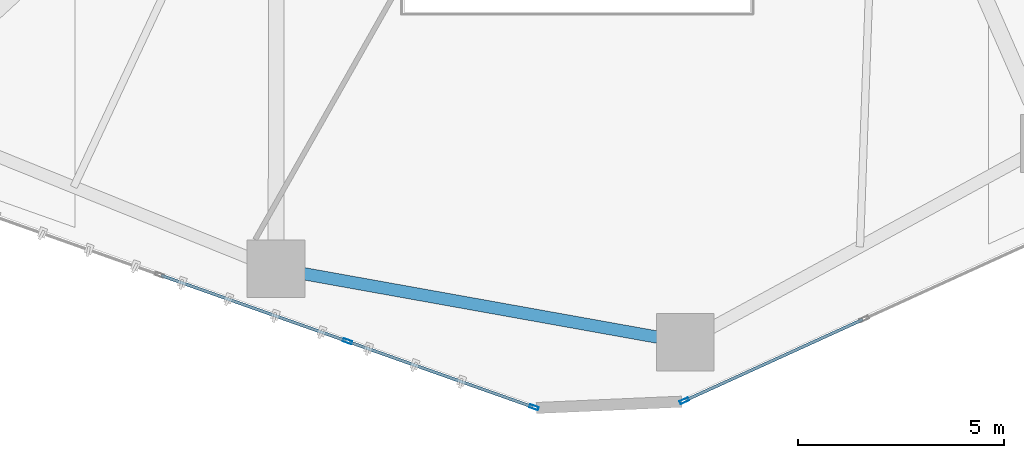
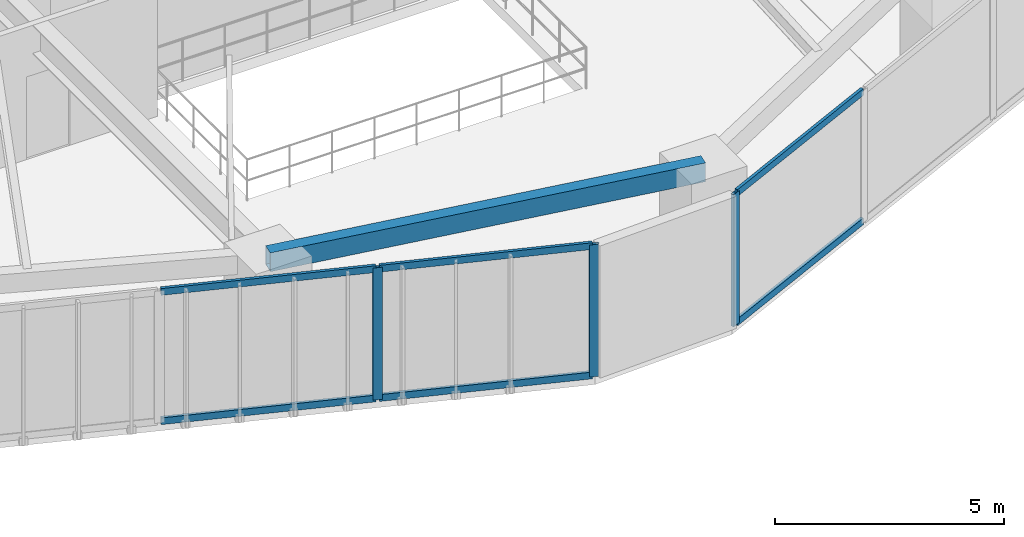
# One storey, part 5 of 24: 9 members, 1 beam, 2 elements without a shape of their own.
"""IFC4 building model written with IfcOpenShell, lengths in metres."""

from ifc_helpers import new_model, si_unit, direction, frame, origin, origin_2d, place, context, subcontext, project, spatial, hollow_rectangle, extrude, source, transform, mapped, material, layer, layer_set, material_profile, profile_set, type_object, type_shapes, element, aggregate, save


model = new_model("IFC4")

# Units and contexts
model_context = context("Model", 3, precision=1e-05, world=origin(), true_north=direction((0.0, 1.0)))
body_context = subcontext(model_context, "Body", "Model", "MODEL_VIEW")
ifc_project = project(units=[si_unit("LENGTHUNIT", "METRE"), si_unit("AREAUNIT", "SQUARE_METRE"), si_unit("VOLUMEUNIT", "CUBIC_METRE"), si_unit("PLANEANGLEUNIT", "RADIAN"), si_unit("MASSUNIT", "GRAM", prefix="KILO")], contexts=[model_context])

# Site, building, storey
site_placement = place(None, origin())
site = spatial("IfcSite", under=ifc_project, at=site_placement, CompositionType="ELEMENT")
building_placement = place(site_placement, origin())
building = spatial("IfcBuilding", under=site, at=building_placement, Name="Talar Marvaseh", CompositionType="ELEMENT")
storey_placement = place(building_placement, frame((0.0, 0.0, 31.60009765625)))
storey = spatial("IfcBuildingStorey", under=building, at=storey_placement, Name="L07", CompositionType="ELEMENT", Elevation=31.60009765625)

# Beam
ifc_material_1 = material(Name="Steel S355", Category="steel")
ifc_material_profile_1 = material_profile(ifc_material_1, hollow_rectangle(XDim=0.300048828125, YDim=0.5, WallThickness=0.02001953125, at=origin_2d()), Name="RHS500x300x20")
ifc_profile_set_1 = profile_set([ifc_material_profile_1], Name="Steel S355")
beam_type = type_object("IfcBeamType", Name="Zone 1 Perimeter Spandrel Beam RHS500x300x20", PredefinedType="SPANDREL", material=ifc_profile_set_1)
beam_placement = place(storey_placement, frame((28.625, 11.195068359375, 3.27001953125), z_axis=(-0.984279934962, 0.176615428632, 0.0), x_axis=(-0.176615428632, -0.984279934962, 0.0)))
element("IfcBeam", 1, at=beam_placement, inside=storey, type_object=beam_type, Name="L07 Zone 1 Perimeter Spandrel Beam RHS500x300x20", PredefinedType="SPANDREL", context=body_context, shape_type="SweptSolid", body=[
    extrude(hollow_rectangle(XDim=0.300048828125, YDim=0.5, WallThickness=0.02001953125, at=origin_2d()), origin(), (0.0, 0.0, 1.0), 10.1005859375),
])

# Curtain wall, member
ifc_material_2 = material(Name="Architectural Aluminium", Category="aluminium")
ifc_layer = layer(ifc_material_2, 0.219970703125)
ifc_layer_set = layer_set([ifc_layer], Name="Architectural Aluminium")
curtain_wall_type = type_object("IfcCurtainWallType", Name="Unitised Low-E Museum Curtain Wall Z1", PredefinedType="NOTDEFINED", material=ifc_layer_set)
curtain_wall_1_placement = place(storey_placement, origin())
curtain_wall_1 = element("IfcCurtainWall", 2, at=curtain_wall_1_placement, inside=storey, type_object=curtain_wall_type, Name="L07 Unitised Low-E Museum Curtain Wall Z1", PredefinedType="NOTDEFINED")
ifc_material_profile_2 = material_profile(ifc_material_2, hollow_rectangle(XDim=0.080078125, YDim=0.219970703125, WallThickness=0.0048828125, at=origin_2d()), Name="RHS220x80x5")
ifc_profile_set_2 = profile_set([ifc_material_profile_2], Name="Architectural Aluminium")
member_type_1 = type_object("IfcMemberType", Name="Unitised Curtain Wall Heavy Mullion RHS220x80x5", PredefinedType="MULLION", material=ifc_profile_set_2)
shared_shape_1 = source(origin(), body_context, "Body", "SweptSolid", [
    extrude(hollow_rectangle(XDim=0.080078125, YDim=0.219970703125, WallThickness=0.0048828125, at=origin_2d()), origin(), (0.0, 0.0, 1.0), 3.52001953125),
])
type_shapes(member_type_1, [shared_shape_1])
member_1_placement = place(storey_placement, frame((28.603515625, 9.77001953125, 0.0), z_axis=(0.0, 0.0, 1.0), x_axis=(0.414554775033, -0.910024361486, 0.0)))
member_1 = element("IfcMember", 3, at=member_1_placement, type_object=member_type_1, Name="CW-Z1 mullion 6", PredefinedType="MULLION", context=body_context, shape_type="MappedRepresentation", body=[
    mapped(shared_shape_1, transform((0.0, 0.0, 0.0), x_axis=(1.0, 0.0, 0.0), y_axis=(0.0, 1.0, 0.0), z_axis=(0.0, 0.0, 1.0), scale=1.0)),
])

# Curtain wall, members
curtain_wall_2_placement = place(storey_placement, origin())
curtain_wall_2 = element("IfcCurtainWall", 4, at=curtain_wall_2_placement, inside=storey, type_object=curtain_wall_type, Name="L07 Unitised Low-E Museum Curtain Wall Z1", PredefinedType="NOTDEFINED")
member_2_placement = place(storey_placement, frame((24.951904296875, 9.610595703125, 0.0), z_axis=(0.0, 0.0, 1.0), x_axis=(-0.333661385174, -0.942692993526, 0.0)))
member_2 = element("IfcMember", 5, at=member_2_placement, type_object=member_type_1, Name="CW-Z1 mullion 1", PredefinedType="MULLION", context=body_context, shape_type="MappedRepresentation", body=[
    mapped(shared_shape_1, transform((0.0, 0.0, 0.0), x_axis=(1.0, 0.0, 0.0), y_axis=(0.0, 1.0, 0.0), z_axis=(0.0, 0.0, 1.0), scale=1.0)),
])
member_3_placement = place(storey_placement, frame((20.421875, 11.2138671875, 0.0), z_axis=(0.0, 0.0, 1.0), x_axis=(-0.333661385174, -0.942692993526, 0.0)))
member_3 = element("IfcMember", 6, at=member_3_placement, type_object=member_type_1, Name="CW-Z1 mullion 2", PredefinedType="MULLION", context=body_context, shape_type="MappedRepresentation", body=[
    mapped(shared_shape_1, transform((0.0, 0.0, 0.0), x_axis=(1.0, 0.0, 0.0), y_axis=(0.0, 1.0, 0.0), z_axis=(0.0, 0.0, 1.0), scale=1.0)),
])
ifc_material_profile_3 = material_profile(ifc_material_2, hollow_rectangle(XDim=0.074951171875, YDim=0.179931640625, WallThickness=0.0048828125, at=origin_2d()), Name="RHS180x75x5")
ifc_profile_set_3 = profile_set([ifc_material_profile_3], Name="Architectural Aluminium")
member_type_2 = type_object("IfcMemberType", Name="Unitised Curtain Wall Transom RHS180x75x5", PredefinedType="USERDEFINED", material=ifc_profile_set_3)
shared_shape_2 = source(origin(), body_context, "Body", "SweptSolid", [
    extrude(hollow_rectangle(XDim=0.074951171875, YDim=0.179931640625, WallThickness=0.0048828125, at=origin_2d()), origin(), (0.0, 0.0, 1.0), 4.725341796875),
])
member_4_placement = place(storey_placement, frame((24.9140625, 9.623779296875, 0.037353515625), z_axis=(-0.942694274053, 0.333657767282, 0.0), x_axis=(-0.333657767282, -0.942694274053, 0.0)))
member_4 = element("IfcMember", 7, at=member_4_placement, type_object=member_type_2, Name="CW-Z1 transom 1.1", ObjectType="TRANSOM", PredefinedType="USERDEFINED", context=body_context, shape_type="MappedRepresentation", body=[
    mapped(shared_shape_2, transform((0.0, 0.0, 0.0), x_axis=(1.0, 0.0, 0.0), y_axis=(0.0, 1.0, 0.0), z_axis=(0.0, 0.0, 1.0), scale=1.0)),
])
member_5_placement = place(storey_placement, frame((24.9140625, 9.623779296875, 3.482421875), z_axis=(-0.942694274053, 0.333657767282, 0.0), x_axis=(-0.333657767282, -0.942694274053, 0.0)))
member_5 = element("IfcMember", 8, at=member_5_placement, type_object=member_type_2, Name="CW-Z1 transom 1.2", ObjectType="TRANSOM", PredefinedType="USERDEFINED", context=body_context, shape_type="MappedRepresentation", body=[
    mapped(shared_shape_2, transform((0.0, 0.0, 0.0), x_axis=(1.0, 0.0, 0.0), y_axis=(0.0, 1.0, 0.0), z_axis=(0.0, 0.0, 1.0), scale=1.0)),
])
shared_shape_3 = source(origin(), body_context, "Body", "SweptSolid", [
    extrude(hollow_rectangle(XDim=0.074951171875, YDim=0.179931640625, WallThickness=0.0048828125, at=origin_2d()), origin(), (0.0, 0.0, 1.0), 4.76513671875),
])
member_6_placement = place(storey_placement, frame((20.384033203125, 11.227294921875, 0.037353515625), z_axis=(-0.942702441645, 0.333634690217, 0.0), x_axis=(-0.333634690217, -0.942702441645, 0.0)))
member_6 = element("IfcMember", 9, at=member_6_placement, type_object=member_type_2, Name="CW-Z1 transom 2.1", ObjectType="TRANSOM", PredefinedType="USERDEFINED", context=body_context, shape_type="MappedRepresentation", body=[
    mapped(shared_shape_3, transform((0.0, 0.0, 0.0), x_axis=(1.0, 0.0, 0.0), y_axis=(0.0, 1.0, 0.0), z_axis=(0.0, 0.0, 1.0), scale=1.0)),
])
member_7_placement = place(storey_placement, frame((20.384033203125, 11.227294921875, 3.482421875), z_axis=(-0.942702441645, 0.333634690217, 0.0), x_axis=(-0.333634690217, -0.942702441645, 0.0)))
member_7 = element("IfcMember", 10, at=member_7_placement, type_object=member_type_2, Name="CW-Z1 transom 2.2", ObjectType="TRANSOM", PredefinedType="USERDEFINED", context=body_context, shape_type="MappedRepresentation", body=[
    mapped(shared_shape_3, transform((0.0, 0.0, 0.0), x_axis=(1.0, 0.0, 0.0), y_axis=(0.0, 1.0, 0.0), z_axis=(0.0, 0.0, 1.0), scale=1.0)),
])
aggregate(curtain_wall_2, [member_2, member_3, member_4, member_5, member_6, member_7])

# Member
shared_shape_4 = source(origin(), body_context, "Body", "SweptSolid", [
    extrude(hollow_rectangle(XDim=0.074951171875, YDim=0.179931640625, WallThickness=0.0048828125, at=origin_2d()), origin(), (0.0, 0.0, 1.0), 4.72509765625),
])
type_shapes(member_type_2, [shared_shape_2, shared_shape_3, shared_shape_4])
member_8_placement = place(storey_placement, frame((32.93994140625, 11.745361328125, 0.037353515625), z_axis=(-0.910033524465, -0.414534660011, 0.0), x_axis=(0.414534660011, -0.910033524465, 0.0)))
member_8 = element("IfcMember", 11, at=member_8_placement, type_object=member_type_2, Name="CW-Z1 transom 5.1", ObjectType="TRANSOM", PredefinedType="USERDEFINED", context=body_context, shape_type="MappedRepresentation", body=[
    mapped(shared_shape_4, transform((0.0, 0.0, 0.0), x_axis=(1.0, 0.0, 0.0), y_axis=(0.0, 1.0, 0.0), z_axis=(0.0, 0.0, 1.0), scale=1.0)),
])

member_9_placement = place(storey_placement, frame((32.93994140625, 11.745361328125, 3.482421875), z_axis=(-0.910033524465, -0.414534660011, 0.0), x_axis=(0.414534660011, -0.910033524465, 0.0)))
member_9 = element("IfcMember", 12, at=member_9_placement, type_object=member_type_2, Name="CW-Z1 transom 5.2", ObjectType="TRANSOM", PredefinedType="USERDEFINED", context=body_context, shape_type="MappedRepresentation", body=[
    mapped(shared_shape_4, transform((0.0, 0.0, 0.0), x_axis=(1.0, 0.0, 0.0), y_axis=(0.0, 1.0, 0.0), z_axis=(0.0, 0.0, 1.0), scale=1.0)),
])

aggregate(curtain_wall_1, [member_1, member_8, member_9])

save(model, "model.ifc")
